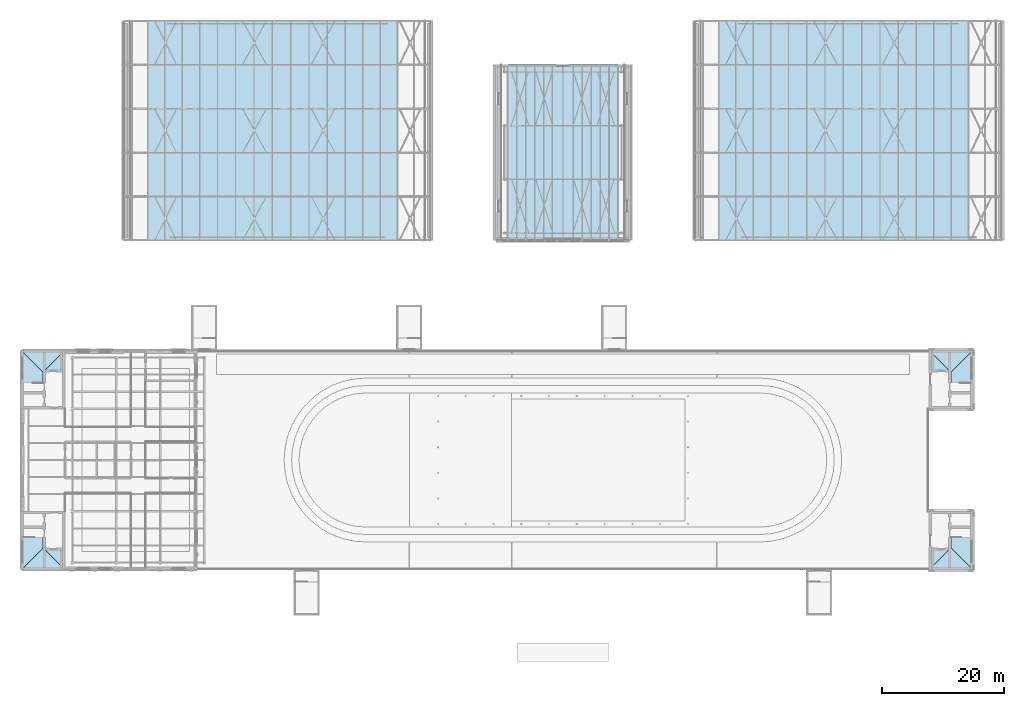
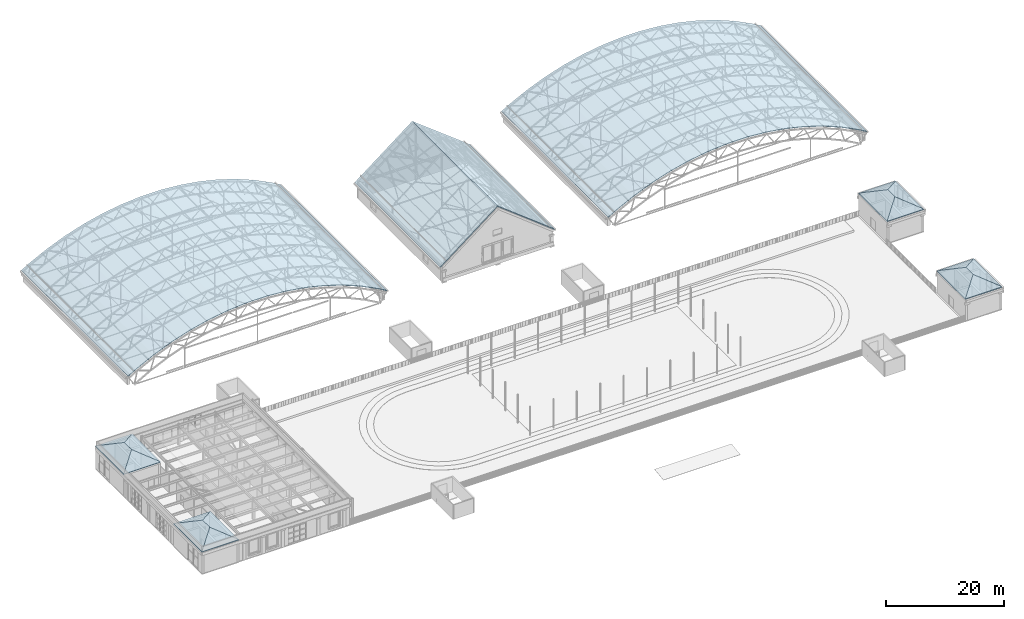
# One storey, part 118 of 127: 7 roofs.
"""IFC4 building model written with IfcOpenShell, lengths in metres."""

from ifc_helpers import new_model, si_unit, direction, frame, origin, place, context, subcontext, project, spatial, polygons, material, layer, layer_set, type_object, element, save


model = new_model("IFC4")

# Units and contexts
model_context = context("Model", 3, precision=1e-05, world=origin(), true_north=direction((0.0, 1.0)))
body_context = subcontext(model_context, "Body", "Model", "MODEL_VIEW")
ifc_project = project(units=[si_unit("LENGTHUNIT", "METRE"), si_unit("AREAUNIT", "SQUARE_METRE"), si_unit("VOLUMEUNIT", "CUBIC_METRE"), si_unit("PLANEANGLEUNIT", "RADIAN"), si_unit("MASSUNIT", "GRAM", prefix="KILO")], contexts=[model_context])

# Site, building, storey
site_placement = place(None, origin())
site = spatial("IfcSite", under=ifc_project, at=site_placement, CompositionType="ELEMENT")
building_placement = place(site_placement, origin())
building = spatial("IfcBuilding", under=site, at=building_placement, Name="Verrick Yard Athletic Hall", CompositionType="ELEMENT")
storey_placement = place(building_placement, frame((0.0, 0.0, 14.0)))
storey = spatial("IfcBuildingStorey", under=building, at=storey_placement, Name="L03", CompositionType="ELEMENT", Elevation=14.0)

# Roofs
ifc_material_1 = material(Name="Standing-seam aluminium roofing", Category="aluminium")
ifc_layer_1 = layer(ifc_material_1, 0.125)
ifc_layer_set_1 = layer_set([ifc_layer_1], Name="Barrel roof")
roof_type_1 = type_object("IfcRoofType", Name="Barrel roof", PredefinedType="BARREL_ROOF", material=ifc_layer_set_1)
roof_1_placement = place(storey_placement, origin())
element("IfcRoof", 1, at=roof_1_placement, inside=storey, type_object=roof_type_1, Name="Court hall A roof", PredefinedType="BARREL_ROOF", context=body_context, shape_type="Tessellation", body=[
    polygons([(120.39990234375, 72.0, 1.997314453125), (122.0224609375, 72.0, 2.9462890625), (125.396728515625, 72.0, 4.662353515625), (128.89794921875, 72.0, 6.10986328125), (132.501953125, 72.0, 7.27880859375), (136.186279296875, 72.0, 8.161865234375), (139.928466796875, 72.0, 8.753662109375), (143.70556640625, 72.0, 9.050537109375), (147.494384765625, 72.0, 9.050537109375), (151.271484375, 72.0, 8.753662109375), (155.013671875, 72.0, 8.161865234375), (158.6982421875, 72.0, 7.27880859375), (162.302001953125, 72.0, 6.10986328125), (165.80322265625, 72.0, 4.662353515625), (169.177490234375, 72.0, 2.9462890625), (170.800048828125, 72.0, 1.997314453125), (120.39990234375, 108.0, 1.997314453125), (122.0224609375, 108.0, 2.9462890625), (125.396728515625, 108.0, 4.662353515625), (128.89794921875, 108.0, 6.10986328125), (132.501953125, 108.0, 7.27880859375), (136.186279296875, 108.0, 8.161865234375), (139.928466796875, 108.0, 8.753662109375), (143.70556640625, 108.0, 9.050537109375), (147.494384765625, 108.0, 9.050537109375), (151.271484375, 108.0, 8.753662109375), (155.013671875, 108.0, 8.161865234375), (158.6982421875, 108.0, 7.27880859375), (162.302001953125, 108.0, 6.10986328125), (165.80322265625, 108.0, 4.662353515625), (169.177490234375, 108.0, 2.9462890625), (170.800048828125, 108.0, 1.997314453125), (120.3369140625, 72.0, 2.10498046875), (121.962646484375, 72.0, 3.055908203125), (125.344482421875, 72.0, 4.77587890625), (128.854736328125, 72.0, 6.227294921875), (132.468017578125, 72.0, 7.3994140625), (136.161865234375, 72.0, 8.28466796875), (139.913818359375, 72.0, 8.8779296875), (143.70068359375, 72.0, 9.175537109375), (147.499267578125, 72.0, 9.175537109375), (151.2861328125, 72.0, 8.8779296875), (155.0380859375, 72.0, 8.28466796875), (158.73193359375, 72.0, 7.3994140625), (162.34521484375, 72.0, 6.227294921875), (165.85546875, 72.0, 4.77587890625), (169.237548828125, 72.0, 3.055908203125), (170.863037109375, 72.0, 2.10498046875), (120.3369140625, 108.0, 2.10498046875), (121.962646484375, 108.0, 3.055908203125), (125.344482421875, 108.0, 4.77587890625), (128.854736328125, 108.0, 6.227294921875), (132.468017578125, 108.0, 7.3994140625), (136.161865234375, 108.0, 8.28466796875), (139.913818359375, 108.0, 8.8779296875), (143.70068359375, 108.0, 9.175537109375), (147.499267578125, 108.0, 9.175537109375), (151.2861328125, 108.0, 8.8779296875), (155.0380859375, 108.0, 8.28466796875), (158.73193359375, 108.0, 7.3994140625), (162.34521484375, 108.0, 6.227294921875), (165.85546875, 108.0, 4.77587890625), (169.237548828125, 108.0, 3.055908203125), (170.863037109375, 108.0, 2.10498046875)], [[[1, 18, 2]], [[1, 17, 18]], [[33, 34, 50]], [[33, 50, 49]], [[1, 2, 34]], [[1, 34, 33]], [[17, 50, 18]], [[17, 49, 50]], [[2, 19, 3]], [[2, 18, 19]], [[34, 35, 51]], [[34, 51, 50]], [[2, 3, 35]], [[2, 35, 34]], [[18, 51, 19]], [[18, 50, 51]], [[3, 20, 4]], [[3, 19, 20]], [[35, 36, 52]], [[35, 52, 51]], [[3, 4, 36]], [[3, 36, 35]], [[19, 52, 20]], [[19, 51, 52]], [[4, 21, 5]], [[4, 20, 21]], [[36, 37, 53]], [[36, 53, 52]], [[4, 5, 37]], [[4, 37, 36]], [[20, 53, 21]], [[20, 52, 53]], [[5, 22, 6]], [[5, 21, 22]], [[37, 38, 54]], [[37, 54, 53]], [[5, 6, 38]], [[5, 38, 37]], [[21, 54, 22]], [[21, 53, 54]], [[6, 23, 7]], [[6, 22, 23]], [[38, 39, 55]], [[38, 55, 54]], [[6, 7, 39]], [[6, 39, 38]], [[22, 55, 23]], [[22, 54, 55]], [[7, 24, 8]], [[7, 23, 24]], [[39, 40, 56]], [[39, 56, 55]], [[7, 8, 40]], [[7, 40, 39]], [[23, 56, 24]], [[23, 55, 56]], [[8, 25, 9]], [[8, 24, 25]], [[40, 41, 57]], [[40, 57, 56]], [[8, 9, 41]], [[8, 41, 40]], [[24, 57, 25]], [[24, 56, 57]], [[9, 26, 10]], [[9, 25, 26]], [[41, 42, 58]], [[41, 58, 57]], [[9, 10, 42]], [[9, 42, 41]], [[25, 58, 26]], [[25, 57, 58]], [[10, 27, 11]], [[10, 26, 27]], [[42, 43, 59]], [[42, 59, 58]], [[10, 11, 43]], [[10, 43, 42]], [[26, 59, 27]], [[26, 58, 59]], [[11, 28, 12]], [[11, 27, 28]], [[43, 44, 60]], [[43, 60, 59]], [[11, 12, 44]], [[11, 44, 43]], [[27, 60, 28]], [[27, 59, 60]], [[12, 29, 13]], [[12, 28, 29]], [[44, 45, 61]], [[44, 61, 60]], [[12, 13, 45]], [[12, 45, 44]], [[28, 61, 29]], [[28, 60, 61]], [[13, 30, 14]], [[13, 29, 30]], [[45, 46, 62]], [[45, 62, 61]], [[13, 14, 46]], [[13, 46, 45]], [[29, 62, 30]], [[29, 61, 62]], [[14, 31, 15]], [[14, 30, 31]], [[46, 47, 63]], [[46, 63, 62]], [[14, 15, 47]], [[14, 47, 46]], [[30, 63, 31]], [[30, 62, 63]], [[15, 32, 16]], [[15, 31, 32]], [[47, 48, 64]], [[47, 64, 63]], [[15, 16, 48]], [[15, 48, 47]], [[31, 64, 32]], [[31, 63, 64]], [[1, 33, 49]], [[1, 49, 17]], [[16, 64, 48]], [[16, 32, 64]]], closed=True),
])
roof_2_placement = place(storey_placement, origin())
element("IfcRoof", 2, at=roof_2_placement, inside=storey, type_object=roof_type_1, Name="Court hall B roof", PredefinedType="BARREL_ROOF", context=body_context, shape_type="Tessellation", body=[
    polygons([(26.800048828125, 72.0, 1.997314453125), (28.42236328125, 72.0, 2.9462890625), (31.796630859375, 72.0, 4.662353515625), (35.2978515625, 72.0, 6.10986328125), (38.90185546875, 72.0, 7.27880859375), (42.586181640625, 72.0, 8.161865234375), (46.32861328125, 72.0, 8.753662109375), (50.105712890625, 72.0, 9.050537109375), (53.894287109375, 72.0, 9.050537109375), (57.67138671875, 72.0, 8.753662109375), (61.413818359375, 72.0, 8.161865234375), (65.09814453125, 72.0, 7.27880859375), (68.7021484375, 72.0, 6.10986328125), (72.203369140625, 72.0, 4.662353515625), (75.57763671875, 72.0, 2.9462890625), (77.199951171875, 72.0, 1.997314453125), (26.800048828125, 108.0, 1.997314453125), (28.42236328125, 108.0, 2.9462890625), (31.796630859375, 108.0, 4.662353515625), (35.2978515625, 108.0, 6.10986328125), (38.90185546875, 108.0, 7.27880859375), (42.586181640625, 108.0, 8.161865234375), (46.32861328125, 108.0, 8.753662109375), (50.105712890625, 108.0, 9.050537109375), (53.894287109375, 108.0, 9.050537109375), (57.67138671875, 108.0, 8.753662109375), (61.413818359375, 108.0, 8.161865234375), (65.09814453125, 108.0, 7.27880859375), (68.7021484375, 108.0, 6.10986328125), (72.203369140625, 108.0, 4.662353515625), (75.57763671875, 108.0, 2.9462890625), (77.199951171875, 108.0, 1.997314453125), (26.73681640625, 72.0, 2.10498046875), (28.362548828125, 72.0, 3.055908203125), (31.744384765625, 72.0, 4.77587890625), (35.254638671875, 72.0, 6.227294921875), (38.867919921875, 72.0, 7.3994140625), (42.56201171875, 72.0, 8.28466796875), (46.31396484375, 72.0, 8.8779296875), (50.100830078125, 72.0, 9.175537109375), (53.899169921875, 72.0, 9.175537109375), (57.686279296875, 72.0, 8.8779296875), (61.43798828125, 72.0, 8.28466796875), (65.132080078125, 72.0, 7.3994140625), (68.745361328125, 72.0, 6.227294921875), (72.255615234375, 72.0, 4.77587890625), (75.637451171875, 72.0, 3.055908203125), (77.26318359375, 72.0, 2.10498046875), (26.73681640625, 108.0, 2.10498046875), (28.362548828125, 108.0, 3.055908203125), (31.744384765625, 108.0, 4.77587890625), (35.254638671875, 108.0, 6.227294921875), (38.867919921875, 108.0, 7.3994140625), (42.56201171875, 108.0, 8.28466796875), (46.31396484375, 108.0, 8.8779296875), (50.100830078125, 108.0, 9.175537109375), (53.899169921875, 108.0, 9.175537109375), (57.686279296875, 108.0, 8.8779296875), (61.43798828125, 108.0, 8.28466796875), (65.132080078125, 108.0, 7.3994140625), (68.745361328125, 108.0, 6.227294921875), (72.255615234375, 108.0, 4.77587890625), (75.637451171875, 108.0, 3.055908203125), (77.26318359375, 108.0, 2.10498046875)], [[[1, 18, 2]], [[1, 17, 18]], [[33, 34, 50]], [[33, 50, 49]], [[1, 2, 34]], [[1, 34, 33]], [[17, 50, 18]], [[17, 49, 50]], [[2, 19, 3]], [[2, 18, 19]], [[34, 35, 51]], [[34, 51, 50]], [[2, 3, 35]], [[2, 35, 34]], [[18, 51, 19]], [[18, 50, 51]], [[3, 20, 4]], [[3, 19, 20]], [[35, 36, 52]], [[35, 52, 51]], [[3, 4, 36]], [[3, 36, 35]], [[19, 52, 20]], [[19, 51, 52]], [[4, 21, 5]], [[4, 20, 21]], [[36, 37, 53]], [[36, 53, 52]], [[4, 5, 37]], [[4, 37, 36]], [[20, 53, 21]], [[20, 52, 53]], [[5, 22, 6]], [[5, 21, 22]], [[37, 38, 54]], [[37, 54, 53]], [[5, 6, 38]], [[5, 38, 37]], [[21, 54, 22]], [[21, 53, 54]], [[6, 23, 7]], [[6, 22, 23]], [[38, 39, 55]], [[38, 55, 54]], [[6, 7, 39]], [[6, 39, 38]], [[22, 55, 23]], [[22, 54, 55]], [[7, 24, 8]], [[7, 23, 24]], [[39, 40, 56]], [[39, 56, 55]], [[7, 8, 40]], [[7, 40, 39]], [[23, 56, 24]], [[23, 55, 56]], [[8, 25, 9]], [[8, 24, 25]], [[40, 41, 57]], [[40, 57, 56]], [[8, 9, 41]], [[8, 41, 40]], [[24, 57, 25]], [[24, 56, 57]], [[9, 26, 10]], [[9, 25, 26]], [[41, 42, 58]], [[41, 58, 57]], [[9, 10, 42]], [[9, 42, 41]], [[25, 58, 26]], [[25, 57, 58]], [[10, 27, 11]], [[10, 26, 27]], [[42, 43, 59]], [[42, 59, 58]], [[10, 11, 43]], [[10, 43, 42]], [[26, 59, 27]], [[26, 58, 59]], [[11, 28, 12]], [[11, 27, 28]], [[43, 44, 60]], [[43, 60, 59]], [[11, 12, 44]], [[11, 44, 43]], [[27, 60, 28]], [[27, 59, 60]], [[12, 29, 13]], [[12, 28, 29]], [[44, 45, 61]], [[44, 61, 60]], [[12, 13, 45]], [[12, 45, 44]], [[28, 61, 29]], [[28, 60, 61]], [[13, 30, 14]], [[13, 29, 30]], [[45, 46, 62]], [[45, 62, 61]], [[13, 14, 46]], [[13, 46, 45]], [[29, 62, 30]], [[29, 61, 62]], [[14, 31, 15]], [[14, 30, 31]], [[46, 47, 63]], [[46, 63, 62]], [[14, 15, 47]], [[14, 47, 46]], [[30, 63, 31]], [[30, 62, 63]], [[15, 32, 16]], [[15, 31, 32]], [[47, 48, 64]], [[47, 64, 63]], [[15, 16, 48]], [[15, 48, 47]], [[31, 64, 32]], [[31, 63, 64]], [[1, 33, 49]], [[1, 49, 17]], [[16, 64, 48]], [[16, 32, 64]]], closed=True),
])
ifc_material_2 = material(Name="Standing seam metal roofing")
ifc_layer_2 = layer(ifc_material_2, 0.14990234375)
ifc_layer_set_2 = layer_set([ifc_layer_2], Name="Core hip roof")
roof_type_2 = type_object("IfcRoofType", Name="Core hip roof", PredefinedType="HIP_ROOF", material=ifc_layer_set_2)
roof_3_placement = place(storey_placement, origin())
element("IfcRoof", 3, at=roof_3_placement, inside=storey, type_object=roof_type_2, Name="Hip roof Wing south-west", PredefinedType="HIP_ROOF", context=body_context, shape_type="Tessellation", body=[
    polygons([(10.0, 18.0, 4.550048828125), (17.199951171875, 18.0, 4.550048828125), (17.199951171875, 27.60009765625, 4.550048828125), (10.0, 27.60009765625, 4.550048828125), (13.60009765625, 21.60009765625, 6.169921875), (13.60009765625, 24.0, 6.169921875), (10.0, 18.0, 4.39990234375), (17.199951171875, 18.0, 4.39990234375), (17.199951171875, 27.60009765625, 4.39990234375), (10.0, 27.60009765625, 4.39990234375), (13.60009765625, 21.60009765625, 6.02001953125), (13.60009765625, 24.0, 6.02001953125)], [[[1, 2, 5]], [[2, 3, 6]], [[2, 6, 5]], [[3, 4, 6]], [[4, 1, 5]], [[4, 5, 6]], [[7, 11, 8]], [[8, 12, 9]], [[8, 11, 12]], [[9, 12, 10]], [[10, 11, 7]], [[10, 12, 11]], [[1, 7, 8]], [[1, 8, 2]], [[2, 8, 9]], [[2, 9, 3]], [[3, 9, 10]], [[3, 10, 4]], [[4, 10, 7]], [[4, 7, 1]]], closed=True),
])
roof_4_placement = place(storey_placement, origin())
element("IfcRoof", 4, at=roof_4_placement, inside=storey, type_object=roof_type_2, Name="Hip roof Wing north-west", PredefinedType="HIP_ROOF", context=body_context, shape_type="Tessellation", body=[
    polygons([(10.0, 44.39990234375, 4.550048828125), (17.199951171875, 44.39990234375, 4.550048828125), (17.199951171875, 54.0, 4.550048828125), (10.0, 54.0, 4.550048828125), (13.60009765625, 48.0, 6.169921875), (13.60009765625, 50.39990234375, 6.169921875), (10.0, 44.39990234375, 4.39990234375), (17.199951171875, 44.39990234375, 4.39990234375), (17.199951171875, 54.0, 4.39990234375), (10.0, 54.0, 4.39990234375), (13.60009765625, 48.0, 6.02001953125), (13.60009765625, 50.39990234375, 6.02001953125)], [[[1, 2, 5]], [[2, 3, 6]], [[2, 6, 5]], [[3, 4, 6]], [[4, 1, 5]], [[4, 5, 6]], [[7, 11, 8]], [[8, 12, 9]], [[8, 11, 12]], [[9, 12, 10]], [[10, 11, 7]], [[10, 12, 11]], [[1, 7, 8]], [[1, 8, 2]], [[2, 8, 9]], [[2, 9, 3]], [[3, 9, 10]], [[3, 10, 4]], [[4, 10, 7]], [[4, 7, 1]]], closed=True),
])
roof_5_placement = place(storey_placement, origin())
element("IfcRoof", 5, at=roof_5_placement, inside=storey, type_object=roof_type_2, Name="Hip roof Plinth south-east", PredefinedType="HIP_ROOF", context=body_context, shape_type="Tessellation", body=[
    polygons([(158.800048828125, 18.0, 4.550048828125), (166.0, 18.0, 4.550048828125), (166.0, 27.60009765625, 4.550048828125), (158.800048828125, 27.60009765625, 4.550048828125), (162.39990234375, 21.60009765625, 6.169921875), (162.39990234375, 24.0, 6.169921875), (158.800048828125, 18.0, 4.39990234375), (166.0, 18.0, 4.39990234375), (166.0, 27.60009765625, 4.39990234375), (158.800048828125, 27.60009765625, 4.39990234375), (162.39990234375, 21.60009765625, 6.02001953125), (162.39990234375, 24.0, 6.02001953125)], [[[1, 2, 5]], [[2, 3, 6]], [[2, 6, 5]], [[3, 4, 6]], [[4, 1, 5]], [[4, 5, 6]], [[7, 11, 8]], [[8, 12, 9]], [[8, 11, 12]], [[9, 12, 10]], [[10, 11, 7]], [[10, 12, 11]], [[1, 7, 8]], [[1, 8, 2]], [[2, 8, 9]], [[2, 9, 3]], [[3, 9, 10]], [[3, 10, 4]], [[4, 10, 7]], [[4, 7, 1]]], closed=True),
])
roof_6_placement = place(storey_placement, origin())
element("IfcRoof", 6, at=roof_6_placement, inside=storey, type_object=roof_type_2, Name="Hip roof Plinth north-east", PredefinedType="HIP_ROOF", context=body_context, shape_type="Tessellation", body=[
    polygons([(158.800048828125, 44.39990234375, 4.550048828125), (166.0, 44.39990234375, 4.550048828125), (166.0, 54.0, 4.550048828125), (158.800048828125, 54.0, 4.550048828125), (162.39990234375, 48.0, 6.169921875), (162.39990234375, 50.39990234375, 6.169921875), (158.800048828125, 44.39990234375, 4.39990234375), (166.0, 44.39990234375, 4.39990234375), (166.0, 54.0, 4.39990234375), (158.800048828125, 54.0, 4.39990234375), (162.39990234375, 48.0, 6.02001953125), (162.39990234375, 50.39990234375, 6.02001953125)], [[[1, 2, 5]], [[2, 3, 6]], [[2, 6, 5]], [[3, 4, 6]], [[4, 1, 5]], [[4, 5, 6]], [[7, 11, 8]], [[8, 12, 9]], [[8, 11, 12]], [[9, 12, 10]], [[10, 11, 7]], [[10, 12, 11]], [[1, 7, 8]], [[1, 8, 2]], [[2, 8, 9]], [[2, 9, 3]], [[3, 9, 10]], [[3, 10, 4]], [[4, 10, 7]], [[4, 7, 1]]], closed=True),
])
ifc_layer_3 = layer(ifc_material_1, 0.14990234375)
ifc_layer_set_3 = layer_set([ifc_layer_3], Name="Gable roof")
roof_type_3 = type_object("IfcRoofType", Name="Gable roof", PredefinedType="GABLE_ROOF", material=ifc_layer_set_3)
roof_7_placement = place(storey_placement, origin())
element("IfcRoof", 7, at=roof_7_placement, inside=storey, type_object=roof_type_3, Name="Climbing hall roof", PredefinedType="GABLE_ROOF", context=body_context, shape_type="Tessellation", body=[
    polygons([(87.699951171875, 72.0, 3.1767578125), (98.800048828125, 72.0, 11.81005859375), (109.89990234375, 72.0, 3.1767578125), (87.699951171875, 100.800048828125, 3.1767578125), (98.800048828125, 100.800048828125, 11.81005859375), (109.89990234375, 100.800048828125, 3.1767578125), (87.60791015625, 72.0, 3.294921875), (98.800048828125, 72.0, 12.0), (109.9921875, 72.0, 3.294921875), (87.60791015625, 100.800048828125, 3.294921875), (98.800048828125, 100.800048828125, 12.0), (109.9921875, 100.800048828125, 3.294921875)], [[[1, 5, 2]], [[1, 4, 5]], [[7, 8, 11]], [[7, 11, 10]], [[1, 2, 8]], [[1, 8, 7]], [[4, 11, 5]], [[4, 10, 11]], [[2, 6, 3]], [[2, 5, 6]], [[8, 9, 12]], [[8, 12, 11]], [[2, 3, 9]], [[2, 9, 8]], [[5, 12, 6]], [[5, 11, 12]], [[1, 7, 10]], [[1, 10, 4]], [[3, 12, 9]], [[3, 6, 12]]], closed=True),
])

save(model, "model.ifc")
